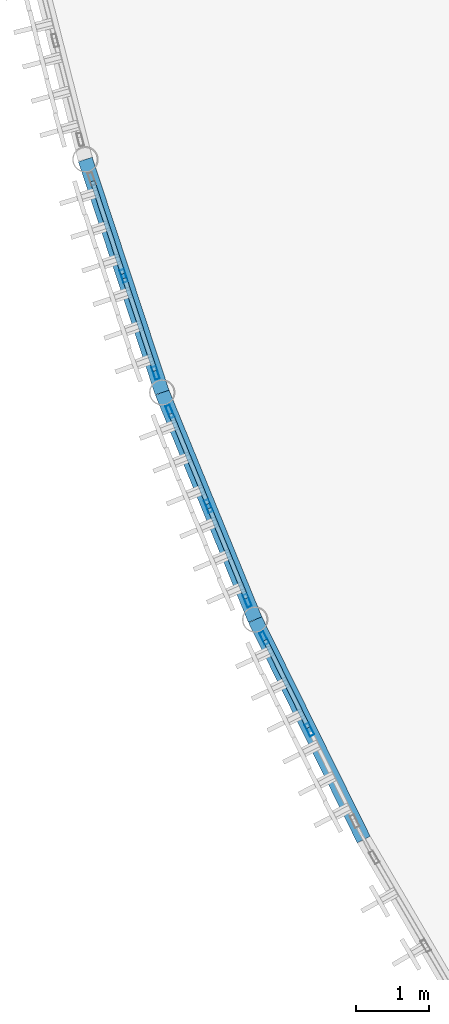
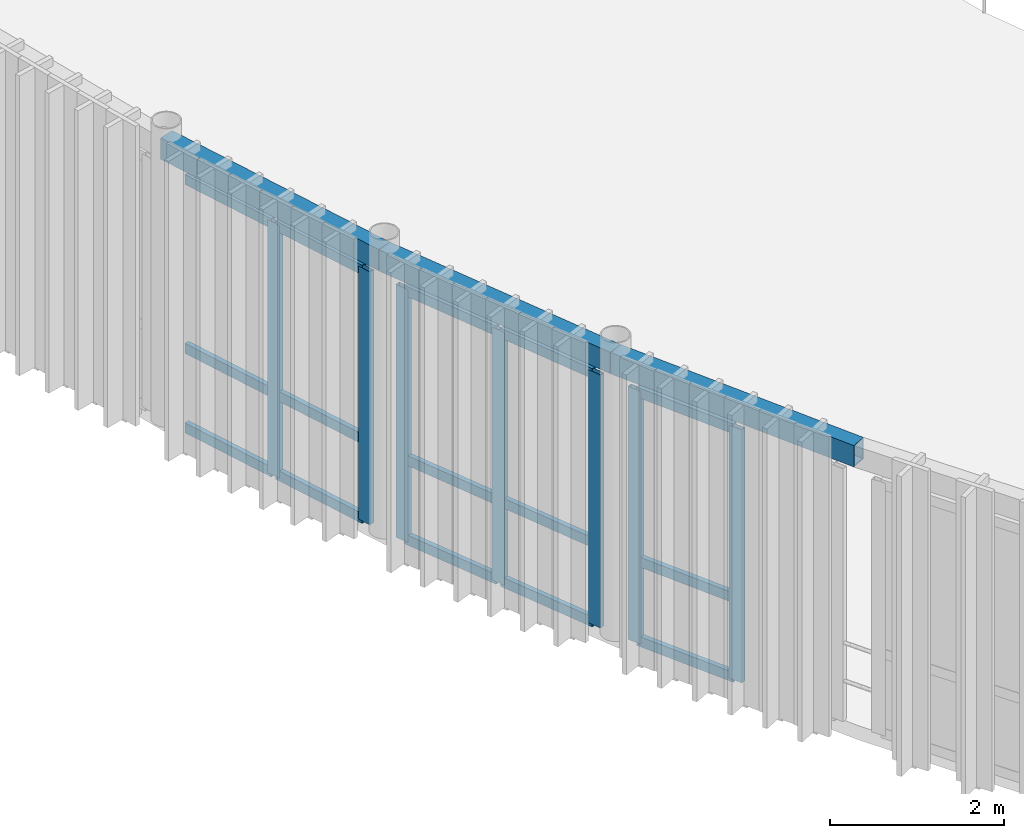
# One storey, part 11 of 32: 22 members, 3 beams, 3 elements without a shape of their own.
"""IFC4 building model written with IfcOpenShell, lengths in metres."""

from ifc_helpers import new_model, si_unit, direction, frame, origin, origin_2d, place, context, subcontext, project, spatial, hollow_rectangle, extrude, material, layer, layer_set, material_profile, profile_set, type_object, element, aggregate, save


model = new_model("IFC4")

# Units and contexts
model_context = context("Model", 3, precision=1e-05, world=origin(), true_north=direction((0.0, 1.0)))
body_context = subcontext(model_context, "Body", "Model", "MODEL_VIEW")
ifc_project = project(units=[si_unit("LENGTHUNIT", "METRE"), si_unit("AREAUNIT", "SQUARE_METRE"), si_unit("VOLUMEUNIT", "CUBIC_METRE"), si_unit("PLANEANGLEUNIT", "RADIAN"), si_unit("MASSUNIT", "GRAM", prefix="KILO")], contexts=[model_context])

# Site, building, storey
site_placement = place(None, origin())
site = spatial("IfcSite", under=ifc_project, at=site_placement, CompositionType="ELEMENT")
building_placement = place(site_placement, origin())
building = spatial("IfcBuilding", under=site, at=building_placement, Name="Selat Folded Stagehouse", CompositionType="ELEMENT")
storey_placement = place(building_placement, frame((0.0, 0.0, 19.199951171875)))
storey = spatial("IfcBuildingStorey", under=building, at=storey_placement, Name="L04", CompositionType="ELEMENT", Elevation=19.199951171875)

# Curtain wall, members
ifc_material_1 = material(Name="Aluminium 6063-T6", Category="aluminium")
ifc_layer = layer(ifc_material_1, 0.18505859375)
ifc_layer_set = layer_set([ifc_layer], Name="Aluminium 6063-T6")
curtain_wall_type = type_object("IfcCurtainWallType", Name="CW-DRM-UPPER", PredefinedType="NOTDEFINED", material=ifc_layer_set)
curtain_wall_1_placement = place(storey_placement, origin())
curtain_wall_1 = element("IfcCurtainWall", 1, at=curtain_wall_1_placement, inside=storey, type_object=curtain_wall_type, Name="L04 curtain wall CW-DRM-L04-06", PredefinedType="NOTDEFINED")
ifc_material_profile_1 = material_profile(ifc_material_1, hollow_rectangle(XDim=0.06494140625, YDim=0.179931640625, WallThickness=0.00390625, at=origin_2d()), Name="ALU 180x65x4.0")
ifc_profile_set_1 = profile_set([ifc_material_profile_1], Name="Aluminium 6063-T6")
member_type_1 = type_object("IfcMemberType", Name="CWM-MUL-180x65", PredefinedType="MULLION", material=ifc_profile_set_1)
member_1_placement = place(storey_placement, frame((2.879150390625, 31.652587890625, 0.0), z_axis=(0.0, 0.0, 1.0), x_axis=(-0.949754805107, -0.312994904395, 0.0)))
member_1 = element("IfcMember", 2, at=member_1_placement, type_object=member_type_1, Name="CW-03 mullion 1", PredefinedType="MULLION", context=body_context, shape_type="SweptSolid", body=[
    extrude(hollow_rectangle(XDim=0.06494140625, YDim=0.179931640625, WallThickness=0.00390625, at=origin_2d()), origin(), (0.0, 0.0, 1.0), 3.56005859375),
])
member_2_placement = place(storey_placement, frame((2.440185546875, 32.984130859375, 0.0), z_axis=(0.0, 0.0, 1.0), x_axis=(-0.949754805107, -0.312994904395, 0.0)))
member_2 = element("IfcMember", 3, at=member_2_placement, type_object=member_type_1, Name="CW-03 mullion 2", PredefinedType="MULLION", context=body_context, shape_type="SweptSolid", body=[
    extrude(hollow_rectangle(XDim=0.06494140625, YDim=0.179931640625, WallThickness=0.00390625, at=origin_2d()), origin(), (0.0, 0.0, 1.0), 3.56005859375),
])

curtain_wall_2_placement = place(storey_placement, origin())
curtain_wall_2 = element("IfcCurtainWall", 4, at=curtain_wall_2_placement, inside=storey, type_object=curtain_wall_type, Name="L04 curtain wall CW-DRM-L04-07", PredefinedType="NOTDEFINED")
member_3_placement = place(storey_placement, frame((4.136962890625, 28.52783203125, 0.0), z_axis=(0.0, 0.0, 1.0), x_axis=(-0.925441425231, -0.378890707813, 0.0)))
member_3 = element("IfcMember", 5, at=member_3_placement, type_object=member_type_1, Name="CW-03 mullion 1", PredefinedType="MULLION", context=body_context, shape_type="SweptSolid", body=[
    extrude(hollow_rectangle(XDim=0.06494140625, YDim=0.179931640625, WallThickness=0.00390625, at=origin_2d()), origin(), (0.0, 0.0, 1.0), 3.56005859375),
])
member_4_placement = place(storey_placement, frame((3.605712890625, 29.8251953125, 0.0), z_axis=(0.0, 0.0, 1.0), x_axis=(-0.925441425231, -0.378890707813, 0.0)))
member_4 = element("IfcMember", 6, at=member_4_placement, type_object=member_type_1, Name="CW-03 mullion 2", PredefinedType="MULLION", context=body_context, shape_type="SweptSolid", body=[
    extrude(hollow_rectangle(XDim=0.06494140625, YDim=0.179931640625, WallThickness=0.00390625, at=origin_2d()), origin(), (0.0, 0.0, 1.0), 3.56005859375),
])
member_5_placement = place(storey_placement, frame((3.07470703125, 31.122802734375, 0.0), z_axis=(0.0, 0.0, 1.0), x_axis=(-0.925441425231, -0.378890707813, 0.0)))
member_5 = element("IfcMember", 7, at=member_5_placement, type_object=member_type_1, Name="CW-03 mullion 3", PredefinedType="MULLION", context=body_context, shape_type="SweptSolid", body=[
    extrude(hollow_rectangle(XDim=0.06494140625, YDim=0.179931640625, WallThickness=0.00390625, at=origin_2d()), origin(), (0.0, 0.0, 1.0), 3.56005859375),
])

curtain_wall_3_placement = place(storey_placement, origin())
curtain_wall_3 = element("IfcCurtainWall", 8, at=curtain_wall_3_placement, inside=storey, type_object=curtain_wall_type, Name="L04 curtain wall CW-DRM-L04-08", PredefinedType="NOTDEFINED")
member_6_placement = place(storey_placement, frame((4.989990234375, 26.756103515625, 0.0), z_axis=(0.0, 0.0, 1.0), x_axis=(-0.896598356392, -0.442844653705, 0.0)))
member_6 = element("IfcMember", 9, at=member_6_placement, type_object=member_type_1, Name="CW-03 mullion 2", PredefinedType="MULLION", context=body_context, shape_type="SweptSolid", body=[
    extrude(hollow_rectangle(XDim=0.06494140625, YDim=0.179931640625, WallThickness=0.00390625, at=origin_2d()), origin(), (0.0, 0.0, 1.0), 3.56005859375),
])
member_7_placement = place(storey_placement, frame((4.369140625, 28.01318359375, 0.0), z_axis=(0.0, 0.0, 1.0), x_axis=(-0.896598356392, -0.442844653705, 0.0)))
member_7 = element("IfcMember", 10, at=member_7_placement, type_object=member_type_1, Name="CW-03 mullion 3", PredefinedType="MULLION", context=body_context, shape_type="SweptSolid", body=[
    extrude(hollow_rectangle(XDim=0.06494140625, YDim=0.179931640625, WallThickness=0.00390625, at=origin_2d()), origin(), (0.0, 0.0, 1.0), 3.56005859375),
])

# Member
ifc_material_profile_2 = material_profile(ifc_material_1, hollow_rectangle(XDim=0.06494140625, YDim=0.139892578125, WallThickness=0.00390625, at=origin_2d()), Name="ALU 140x65x4.0")
ifc_profile_set_2 = profile_set([ifc_material_profile_2], Name="Aluminium 6063-T6")
member_type_2 = type_object("IfcMemberType", Name="CWM-TRN-140x65", PredefinedType="USERDEFINED", material=ifc_profile_set_2)
member_8_placement = place(storey_placement, frame((2.868896484375, 31.683349609375, 0.032470703125), z_axis=(-0.312993731662, 0.949755191584, 0.0), x_axis=(-0.949755191584, -0.312993731662, 0.0)))
member_8 = element("IfcMember", 11, at=member_8_placement, type_object=member_type_2, Name="CW-03 transom 1.1", ObjectType="TRANSOM", PredefinedType="USERDEFINED", context=body_context, shape_type="SweptSolid", body=[
    extrude(hollow_rectangle(XDim=0.06494140625, YDim=0.139892578125, WallThickness=0.00390625, at=origin_2d()), origin(), (0.0, 0.0, 1.0), 1.3369140625),
])

member_9_placement = place(storey_placement, frame((2.868896484375, 31.683349609375, 1.150146484375), z_axis=(-0.312993731662, 0.949755191584, 0.0), x_axis=(-0.949755191584, -0.312993731662, 0.0)))
member_9 = element("IfcMember", 12, at=member_9_placement, type_object=member_type_2, Name="CW-03 transom 1.2", ObjectType="TRANSOM", PredefinedType="USERDEFINED", context=body_context, shape_type="SweptSolid", body=[
    extrude(hollow_rectangle(XDim=0.06494140625, YDim=0.139892578125, WallThickness=0.00390625, at=origin_2d()), origin(), (0.0, 0.0, 1.0), 1.3369140625),
])

member_10_placement = place(storey_placement, frame((2.868896484375, 31.683349609375, 3.527587890625), z_axis=(-0.312993731662, 0.949755191584, 0.0), x_axis=(-0.949755191584, -0.312993731662, 0.0)))
member_10 = element("IfcMember", 13, at=member_10_placement, type_object=member_type_2, Name="CW-03 transom 1.3", ObjectType="TRANSOM", PredefinedType="USERDEFINED", context=body_context, shape_type="SweptSolid", body=[
    extrude(hollow_rectangle(XDim=0.06494140625, YDim=0.139892578125, WallThickness=0.00390625, at=origin_2d()), origin(), (0.0, 0.0, 1.0), 1.3369140625),
])

member_11_placement = place(storey_placement, frame((2.43017578125, 33.014892578125, 0.032470703125), z_axis=(-0.312993731662, 0.949755191584, 0.0), x_axis=(-0.949755191584, -0.312993731662, 0.0)))
member_11 = element("IfcMember", 14, at=member_11_placement, type_object=member_type_2, Name="CW-03 transom 2.1", ObjectType="TRANSOM", PredefinedType="USERDEFINED", context=body_context, shape_type="SweptSolid", body=[
    extrude(hollow_rectangle(XDim=0.06494140625, YDim=0.139892578125, WallThickness=0.00390625, at=origin_2d()), origin(), (0.0, 0.0, 1.0), 1.3369140625),
])

member_12_placement = place(storey_placement, frame((2.43017578125, 33.014892578125, 1.150146484375), z_axis=(-0.312993731662, 0.949755191584, 0.0), x_axis=(-0.949755191584, -0.312993731662, 0.0)))
member_12 = element("IfcMember", 15, at=member_12_placement, type_object=member_type_2, Name="CW-03 transom 2.2", ObjectType="TRANSOM", PredefinedType="USERDEFINED", context=body_context, shape_type="SweptSolid", body=[
    extrude(hollow_rectangle(XDim=0.06494140625, YDim=0.139892578125, WallThickness=0.00390625, at=origin_2d()), origin(), (0.0, 0.0, 1.0), 1.3369140625),
])

member_13_placement = place(storey_placement, frame((2.43017578125, 33.014892578125, 3.527587890625), z_axis=(-0.312993731662, 0.949755191584, 0.0), x_axis=(-0.949755191584, -0.312993731662, 0.0)))
member_13 = element("IfcMember", 16, at=member_13_placement, type_object=member_type_2, Name="CW-03 transom 2.3", ObjectType="TRANSOM", PredefinedType="USERDEFINED", context=body_context, shape_type="SweptSolid", body=[
    extrude(hollow_rectangle(XDim=0.06494140625, YDim=0.139892578125, WallThickness=0.00390625, at=origin_2d()), origin(), (0.0, 0.0, 1.0), 1.3369140625),
])

aggregate(curtain_wall_1, [member_1, member_2, member_8, member_9, member_10, member_11, member_12, member_13])

member_14_placement = place(storey_placement, frame((4.124755859375, 28.557861328125, 0.032470703125), z_axis=(-0.378903018668, 0.925436384872, 0.0), x_axis=(-0.925436384872, -0.378903018668, 0.0)))
member_14 = element("IfcMember", 17, at=member_14_placement, type_object=member_type_2, Name="CW-03 transom 1.1", ObjectType="TRANSOM", PredefinedType="USERDEFINED", context=body_context, shape_type="SweptSolid", body=[
    extrude(hollow_rectangle(XDim=0.06494140625, YDim=0.139892578125, WallThickness=0.00390625, at=origin_2d()), origin(), (0.0, 0.0, 1.0), 1.3369140625),
])

member_15_placement = place(storey_placement, frame((4.124755859375, 28.557861328125, 1.150146484375), z_axis=(-0.378903018668, 0.925436384872, 0.0), x_axis=(-0.925436384872, -0.378903018668, 0.0)))
member_15 = element("IfcMember", 18, at=member_15_placement, type_object=member_type_2, Name="CW-03 transom 1.2", ObjectType="TRANSOM", PredefinedType="USERDEFINED", context=body_context, shape_type="SweptSolid", body=[
    extrude(hollow_rectangle(XDim=0.06494140625, YDim=0.139892578125, WallThickness=0.00390625, at=origin_2d()), origin(), (0.0, 0.0, 1.0), 1.3369140625),
])

member_16_placement = place(storey_placement, frame((4.124755859375, 28.557861328125, 3.527587890625), z_axis=(-0.378903018668, 0.925436384872, 0.0), x_axis=(-0.925436384872, -0.378903018668, 0.0)))
member_16 = element("IfcMember", 19, at=member_16_placement, type_object=member_type_2, Name="CW-03 transom 1.3", ObjectType="TRANSOM", PredefinedType="USERDEFINED", context=body_context, shape_type="SweptSolid", body=[
    extrude(hollow_rectangle(XDim=0.06494140625, YDim=0.139892578125, WallThickness=0.00390625, at=origin_2d()), origin(), (0.0, 0.0, 1.0), 1.3369140625),
])

member_17_placement = place(storey_placement, frame((3.593505859375, 29.85546875, 0.032470703125), z_axis=(-0.378967058745, 0.925410162245, 0.0), x_axis=(-0.925410162245, -0.378967058745, 0.0)))
member_17 = element("IfcMember", 20, at=member_17_placement, type_object=member_type_2, Name="CW-03 transom 2.1", ObjectType="TRANSOM", PredefinedType="USERDEFINED", context=body_context, shape_type="SweptSolid", body=[
    extrude(hollow_rectangle(XDim=0.06494140625, YDim=0.139892578125, WallThickness=0.00390625, at=origin_2d()), origin(), (0.0, 0.0, 1.0), 1.336669921875),
])

member_18_placement = place(storey_placement, frame((3.593505859375, 29.85546875, 1.150146484375), z_axis=(-0.378967058745, 0.925410162245, 0.0), x_axis=(-0.925410162245, -0.378967058745, 0.0)))
member_18 = element("IfcMember", 21, at=member_18_placement, type_object=member_type_2, Name="CW-03 transom 2.2", ObjectType="TRANSOM", PredefinedType="USERDEFINED", context=body_context, shape_type="SweptSolid", body=[
    extrude(hollow_rectangle(XDim=0.06494140625, YDim=0.139892578125, WallThickness=0.00390625, at=origin_2d()), origin(), (0.0, 0.0, 1.0), 1.336669921875),
])

member_19_placement = place(storey_placement, frame((3.593505859375, 29.85546875, 3.527587890625), z_axis=(-0.378967058745, 0.925410162245, 0.0), x_axis=(-0.925410162245, -0.378967058745, 0.0)))
member_19 = element("IfcMember", 22, at=member_19_placement, type_object=member_type_2, Name="CW-03 transom 2.3", ObjectType="TRANSOM", PredefinedType="USERDEFINED", context=body_context, shape_type="SweptSolid", body=[
    extrude(hollow_rectangle(XDim=0.06494140625, YDim=0.139892578125, WallThickness=0.00390625, at=origin_2d()), origin(), (0.0, 0.0, 1.0), 1.336669921875),
])

aggregate(curtain_wall_2, [member_3, member_4, member_5, member_14, member_15, member_16, member_17, member_18, member_19])

member_20_placement = place(storey_placement, frame((4.9755859375, 26.78515625, 0.032470703125), z_axis=(-0.442753130164, 0.896643555561, 0.0), x_axis=(-0.896643555561, -0.442753130164, 0.0)))
member_20 = element("IfcMember", 23, at=member_20_placement, type_object=member_type_2, Name="CW-03 transom 2.1", ObjectType="TRANSOM", PredefinedType="USERDEFINED", context=body_context, shape_type="SweptSolid", body=[
    extrude(hollow_rectangle(XDim=0.06494140625, YDim=0.139892578125, WallThickness=0.00390625, at=origin_2d()), origin(), (0.0, 0.0, 1.0), 1.337158203125),
])

member_21_placement = place(storey_placement, frame((4.9755859375, 26.78515625, 1.150146484375), z_axis=(-0.442753130164, 0.896643555561, 0.0), x_axis=(-0.896643555561, -0.442753130164, 0.0)))
member_21 = element("IfcMember", 24, at=member_21_placement, type_object=member_type_2, Name="CW-03 transom 2.2", ObjectType="TRANSOM", PredefinedType="USERDEFINED", context=body_context, shape_type="SweptSolid", body=[
    extrude(hollow_rectangle(XDim=0.06494140625, YDim=0.139892578125, WallThickness=0.00390625, at=origin_2d()), origin(), (0.0, 0.0, 1.0), 1.337158203125),
])

member_22_placement = place(storey_placement, frame((4.9755859375, 26.78515625, 3.527587890625), z_axis=(-0.442753130164, 0.896643555561, 0.0), x_axis=(-0.896643555561, -0.442753130164, 0.0)))
member_22 = element("IfcMember", 25, at=member_22_placement, type_object=member_type_2, Name="CW-03 transom 2.3", ObjectType="TRANSOM", PredefinedType="USERDEFINED", context=body_context, shape_type="SweptSolid", body=[
    extrude(hollow_rectangle(XDim=0.06494140625, YDim=0.139892578125, WallThickness=0.00390625, at=origin_2d()), origin(), (0.0, 0.0, 1.0), 1.337158203125),
])

aggregate(curtain_wall_3, [member_6, member_7, member_20, member_21, member_22])

# Beams
ifc_material_2 = material(Name="Steel S355", Category="steel")
ifc_material_profile_3 = material_profile(ifc_material_2, hollow_rectangle(XDim=0.199951171875, YDim=0.300048828125, WallThickness=0.012451171875, at=origin_2d()), Name="RHS 300x200x12.5")
ifc_profile_set_3 = profile_set([ifc_material_profile_3], Name="Steel S355")
beam_type = type_object("IfcBeamType", Name="SPD-RHS-300x200", PredefinedType="SPANDREL", material=ifc_profile_set_3)
beam_placement = place(storey_placement, frame((1.9130859375, 34.583984375, 3.85009765625), z_axis=(0.312986630522, -0.949757531749, 0.0), x_axis=(0.949757531749, 0.312986630522, 0.0)))
element("IfcBeam", 26, at=beam_placement, inside=storey, type_object=beam_type, Name="L04 curved drum spandrel beam 7", PredefinedType="SPANDREL", context=body_context, shape_type="SweptSolid", body=[
    extrude(hollow_rectangle(XDim=0.199951171875, YDim=0.300048828125, WallThickness=0.012451171875, at=origin_2d()), origin(), (0.0, 0.0, 1.0), 3.368896484375),
])
for number, where, z_axis, x_axis, name in (
    (27, (2.967529296875, 31.38427734375, 3.85009765625), (0.3788501038, -0.925458048131, 0.0), (0.925458048131, 0.3788501038, 0.0), "L04 curved drum spandrel beam 8"),
    (28, (4.243896484375, 28.266357421875, 3.85009765625), (0.442889628602, -0.896576141148, 0.0), (0.896576141148, 0.442889628602, 0.0), "L04 curved drum spandrel beam 9"),
):
    element("IfcBeam", number, at=place(storey_placement, frame(where, z_axis=z_axis, x_axis=x_axis)), inside=storey, type_object=beam_type, Name=name, PredefinedType="SPANDREL", context=body_context, shape_type="SweptSolid", body=[
        extrude(hollow_rectangle(XDim=0.199951171875, YDim=0.300048828125, WallThickness=0.012451171875, at=origin_2d()), origin(), (0.0, 0.0, 1.0), 3.369140625),
    ])

save(model, "model.ifc")
